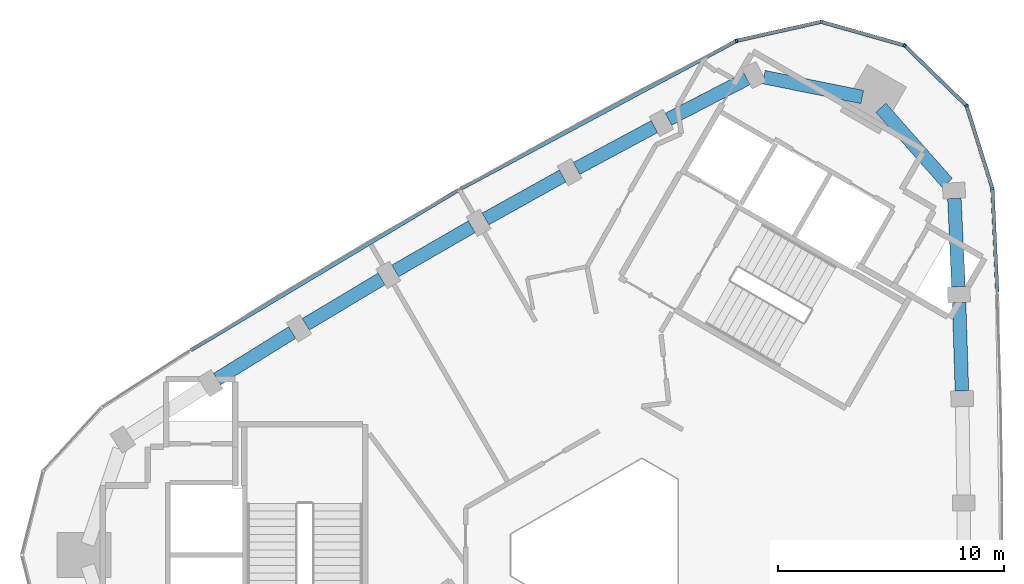
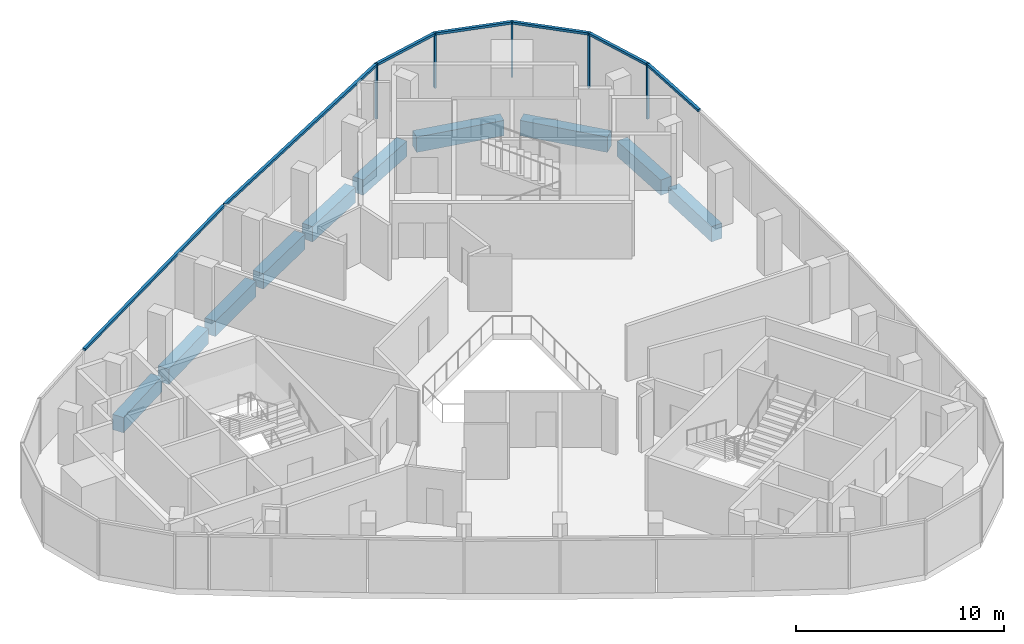
# One storey, part 4 of 10: 12 members, 10 beams, 2 elements without a shape of their own.
"""IFC4 building model written with IfcOpenShell, lengths in metres."""

from ifc_helpers import new_model, si_unit, direction, frame, origin, origin_2d, place, context, subcontext, project, spatial, rectangle, extrude, material, material_profile, profile_set, type_object, element, aggregate, save


model = new_model("IFC4")

# Units and contexts
model_context = context("Model", 3, precision=1e-05, world=origin(), true_north=direction((0.0, 1.0)))
body_context = subcontext(model_context, "Body", "Model", "MODEL_VIEW")
ifc_project = project(units=[si_unit("LENGTHUNIT", "METRE"), si_unit("AREAUNIT", "SQUARE_METRE"), si_unit("VOLUMEUNIT", "CUBIC_METRE"), si_unit("PLANEANGLEUNIT", "RADIAN"), si_unit("MASSUNIT", "GRAM", prefix="KILO")], contexts=[model_context])

# Site, building, storey
site_placement = place(None, origin())
site = spatial("IfcSite", under=ifc_project, at=site_placement, CompositionType="ELEMENT")
building_placement = place(site_placement, origin())
building = spatial("IfcBuilding", under=site, at=building_placement, Name="Tamra Quay Hotel Tower", CompositionType="ELEMENT")
storey_placement = place(building_placement, frame((0.0, 0.0, 294.60009765625)))
storey = spatial("IfcBuildingStorey", under=building, at=storey_placement, Name="L74", CompositionType="ELEMENT", Elevation=294.60009765625)

# Curtain wall, members
ifc_material_1 = material(Name="Aluminium 6063 anodised dark grey", Category="aluminium")
curtain_wall_type_1 = type_object("IfcCurtainWallType", Name="CW1 CURTAIN WALL", PredefinedType="NOTDEFINED", material=ifc_material_1)
curtain_wall_1_placement = place(storey_placement, origin())
curtain_wall_1 = element("IfcCurtainWall", 1, at=curtain_wall_1_placement, inside=storey, type_object=curtain_wall_type_1, Name="CW1 east face L74", PredefinedType="NOTDEFINED")
ifc_material_profile_1 = material_profile(ifc_material_1, rectangle(XDim=0.159912109375, YDim=0.10009765625, at=origin_2d()), Name="MULLION 100X160")
ifc_profile_set_1 = profile_set([ifc_material_profile_1], Name="Aluminium 6063 anodised dark grey")
member_type_1 = type_object("IfcMemberType", Name="MULLION CW1 Z6", PredefinedType="MULLION", material=ifc_profile_set_1)
member_1_placement = place(storey_placement, frame((16.89990234375, 16.210205078125, 0.0), z_axis=(0.0, 0.0, 1.0), x_axis=(0.984739919862, 0.174032440167, 0.0)))
member_1 = element("IfcMember", 2, at=member_1_placement, type_object=member_type_1, Name="CW1 mullion L74.E.8", PredefinedType="MULLION", context=body_context, shape_type="SweptSolid", body=[
    extrude(rectangle(XDim=0.159912109375, YDim=0.10009765625, at=origin_2d()), origin(), (0.0, 0.0, 1.0), 3.25),
])
member_2_placement = place(storey_placement, frame((15.757080078125, 19.865966796875, 0.0), z_axis=(0.0, 0.0, 1.0), x_axis=(0.851964184595, 0.523600065094, 0.0)))
member_2 = element("IfcMember", 3, at=member_2_placement, type_object=member_type_1, Name="CW1 mullion L74.E.9", PredefinedType="MULLION", context=body_context, shape_type="SweptSolid", body=[
    extrude(rectangle(XDim=0.159912109375, YDim=0.10009765625, at=origin_2d()), origin(), (0.0, 0.0, 1.0), 3.25),
])
member_3_placement = place(storey_placement, frame((13.01171875, 22.536865234375, 0.0), z_axis=(0.0, 0.0, 1.0), x_axis=(0.5, 0.866025403784, 0.0)))
member_3 = element("IfcMember", 4, at=member_3_placement, type_object=member_type_1, Name="CW1 mullion L74.E.10", PredefinedType="MULLION", context=body_context, shape_type="SweptSolid", body=[
    extrude(rectangle(XDim=0.159912109375, YDim=0.10009765625, at=origin_2d()), origin(), (0.0, 0.0, 1.0), 3.25),
])
member_4_placement = place(storey_placement, frame((9.325927734375, 23.578857421875, 0.0), z_axis=(0.0, 0.0, 1.0), x_axis=(0.027468865497, 0.999622659521, 0.0)))
member_4 = element("IfcMember", 5, at=member_4_placement, type_object=member_type_1, Name="CW1 mullion L74.E.11", PredefinedType="MULLION", context=body_context, shape_type="SweptSolid", body=[
    extrude(rectangle(XDim=0.159912109375, YDim=0.10009765625, at=origin_2d()), origin(), (0.0, 0.0, 1.0), 3.25),
])

# Curtain wall, member
curtain_wall_type_2 = type_object("IfcCurtainWallType", Name="CW2 CURTAIN WALL", PredefinedType="NOTDEFINED", material=ifc_material_1)
curtain_wall_2_placement = place(storey_placement, origin())
curtain_wall_2 = element("IfcCurtainWall", 6, at=curtain_wall_2_placement, inside=storey, type_object=curtain_wall_type_2, Name="CW2 north-west face L74", PredefinedType="NOTDEFINED")
ifc_material_profile_2 = material_profile(ifc_material_1, rectangle(XDim=0.159912109375, YDim=0.10009765625, at=origin_2d()), Name="MULLION 100X160")
ifc_profile_set_2 = profile_set([ifc_material_profile_2], Name="Aluminium 6063 anodised dark grey")
member_type_2 = type_object("IfcMemberType", Name="MULLION CW2 Z6", PredefinedType="MULLION", material=ifc_profile_set_2)
member_5_placement = place(storey_placement, frame((5.588623046875, 22.740966796875, 0.0), z_axis=(0.0, 0.0, 1.0), x_axis=(-0.341653445664, 0.939826006804, 0.0)))
member_5 = element("IfcMember", 7, at=member_5_placement, type_object=member_type_2, Name="CW2 mullion L74.NW.1", PredefinedType="MULLION", context=body_context, shape_type="SweptSolid", body=[
    extrude(rectangle(XDim=0.159912109375, YDim=0.10009765625, at=origin_2d()), origin(), (0.0, 0.0, 1.0), 3.25),
])

# Beams
ifc_material_2 = material(Name="Concrete M60", Category="concrete")
ifc_material_profile_3 = material_profile(ifc_material_2, rectangle(XDim=0.60009765625, YDim=0.89990234375, at=origin_2d()), Name="SPANDREL BEAM RC 600x900")
ifc_profile_set_3 = profile_set([ifc_material_profile_3], Name="Concrete M60")
beam_type = type_object("IfcBeamType", Name="SPANDREL BEAM RC 600x900", PredefinedType="SPANDREL", material=ifc_profile_set_3)
beam_1_placement = place(storey_placement, frame((15.55126953125, 7.259765625, -0.800048828125), z_axis=(-0.031240604276, 0.999511893198, 0.0), x_axis=(-0.999511893198, -0.031240604276, 0.0)))
element("IfcBeam", 8, at=beam_1_placement, inside=storey, type_object=beam_type, Name="BM-SP6-005-L74", PredefinedType="SPANDREL", context=body_context, shape_type="SweptSolid", body=[
    extrude(rectangle(XDim=0.60009765625, YDim=0.89990234375, at=origin_2d()), origin(), (0.0, 0.0, 1.0), 3.907470703125),
])
beam_2_placement = place(storey_placement, frame((15.40185546875, 11.86474609375, -0.800048828125), z_axis=(-0.04680507522, 0.998904041905, 0.0), x_axis=(-0.998904041905, -0.04680507522, 0.0)))
element("IfcBeam", 9, at=beam_2_placement, inside=storey, type_object=beam_type, Name="BM-SP6-006-L74", PredefinedType="SPANDREL", context=body_context, shape_type="SweptSolid", body=[
    extrude(rectangle(XDim=0.60009765625, YDim=0.89990234375, at=origin_2d()), origin(), (0.0, 0.0, 1.0), 3.906982421875),
])
beam_3_placement = place(storey_placement, frame((14.9072265625, 16.451171875, -0.800048828125), z_axis=(-0.661856103448, 0.749630908066, 0.0), x_axis=(-0.749630908066, -0.661856103448, 0.0)))
element("IfcBeam", 10, at=beam_3_placement, inside=storey, type_object=beam_type, Name="BM-SP6-007-L74", PredefinedType="SPANDREL", context=body_context, shape_type="SweptSolid", body=[
    extrude(rectangle(XDim=0.60009765625, YDim=0.89990234375, at=origin_2d()), origin(), (0.0, 0.0, 1.0), 4.44189453125),
])
beam_4_placement = place(storey_placement, frame((11.146728515625, 20.25439453125, -0.800048828125), z_axis=(-0.980114952618, 0.198430541133, 0.0), x_axis=(-0.198430541133, -0.980114952618, 0.0)))
element("IfcBeam", 11, at=beam_4_placement, inside=storey, type_object=beam_type, Name="BM-SP6-008-L74", PredefinedType="SPANDREL", context=body_context, shape_type="SweptSolid", body=[
    extrude(rectangle(XDim=0.60009765625, YDim=0.89990234375, at=origin_2d()), origin(), (0.0, 0.0, 1.0), 4.441650390625),
])
beam_5_placement = place(storey_placement, frame((6.04541015625, 21.063720703125, -0.800048828125), z_axis=(-0.888476019227, -0.458923047208, 0.0), x_axis=(0.458923047208, -0.888476019227, 0.0)))
element("IfcBeam", 12, at=beam_5_placement, inside=storey, type_object=beam_type, Name="BM-SP6-009-L74", PredefinedType="SPANDREL", context=body_context, shape_type="SweptSolid", body=[
    extrude(rectangle(XDim=0.60009765625, YDim=0.89990234375, at=origin_2d()), origin(), (0.0, 0.0, 1.0), 3.906982421875),
])
beam_6_placement = place(storey_placement, frame((1.954833984375, 18.944580078125, -0.800048828125), z_axis=(-0.88123835064, -0.472672158437, 0.0), x_axis=(0.472672158437, -0.88123835064, 0.0)))
element("IfcBeam", 13, at=beam_6_placement, inside=storey, type_object=beam_type, Name="BM-SP6-010-L74", PredefinedType="SPANDREL", context=body_context, shape_type="SweptSolid", body=[
    extrude(rectangle(XDim=0.60009765625, YDim=0.89990234375, at=origin_2d()), origin(), (0.0, 0.0, 1.0), 3.907470703125),
])
for number, where, z_axis, x_axis, name in (
    (14, (-2.102783203125, 16.761962890625, -0.800048828125), (-0.873726581477, -0.486417373066, 0.0), (0.486417373066, -0.873726581477, 0.0), "BM-SP6-011-L74"),
    (15, (-6.125244140625, 14.516357421875, -0.800048828125), (-0.866011803689, -0.500023555316, 0.0), (0.500023555316, -0.866011803689, 0.0), "BM-SP6-012-L74"),
):
    element("IfcBeam", number, at=place(storey_placement, frame(where, z_axis=z_axis, x_axis=x_axis)), inside=storey, type_object=beam_type, Name=name, PredefinedType="SPANDREL", context=body_context, shape_type="SweptSolid", body=[
        extrude(rectangle(XDim=0.60009765625, YDim=0.89990234375, at=origin_2d()), origin(), (0.0, 0.0, 1.0), 3.906982421875),
    ])
beam_7_placement = place(storey_placement, frame((-10.1123046875, 12.2080078125, -0.800048828125), z_axis=(-0.858120821909, -0.513447811376, 0.0), x_axis=(0.513447811376, -0.858120821909, 0.0)))
element("IfcBeam", 16, at=beam_7_placement, inside=storey, type_object=beam_type, Name="BM-SP6-013-L74", PredefinedType="SPANDREL", context=body_context, shape_type="SweptSolid", body=[
    extrude(rectangle(XDim=0.60009765625, YDim=0.89990234375, at=origin_2d()), origin(), (0.0, 0.0, 1.0), 3.9072265625),
])
beam_8_placement = place(storey_placement, frame((-14.062744140625, 9.837890625, -0.800048828125), z_axis=(-0.849972078006, -0.526827739029, 0.0), x_axis=(0.526827739029, -0.849972078006, 0.0)))
element("IfcBeam", 17, at=beam_8_placement, inside=storey, type_object=beam_type, Name="BM-SP6-014-L74", PredefinedType="SPANDREL", context=body_context, shape_type="SweptSolid", body=[
    extrude(rectangle(XDim=0.60009765625, YDim=0.89990234375, at=origin_2d()), origin(), (0.0, 0.0, 1.0), 3.907470703125),
])

# Member
ifc_material_profile_4 = material_profile(ifc_material_1, rectangle(XDim=0.159912109375, YDim=0.139892578125, at=origin_2d()), Name="TRANSOM 160X140")
ifc_profile_set_4 = profile_set([ifc_material_profile_4], Name="Aluminium 6063 anodised dark grey")
member_type_3 = type_object("IfcMemberType", Name="TRANSOM CW1 Z6", PredefinedType="USERDEFINED", material=ifc_profile_set_4)
member_6_placement = place(storey_placement, frame((17.114501953125, 11.630859375, 3.179931640625), z_axis=(-0.046787491417, 0.998904865664, 0.0), x_axis=(-0.998904865664, -0.046787491417, 0.0)))
member_6 = element("IfcMember", 18, at=member_6_placement, type_object=member_type_3, Name="CW1 transom L74.E.7", ObjectType="TRANSOM", PredefinedType="USERDEFINED", context=body_context, shape_type="SweptSolid", body=[
    extrude(rectangle(XDim=0.159912109375, YDim=0.139892578125, at=origin_2d()), origin(), (0.0, 0.0, 1.0), 4.534423828125),
])

member_7_placement = place(storey_placement, frame((16.885009765625, 16.258056640625, 3.179931640625), z_axis=(-0.298383063983, 0.95444619918, 0.0), x_axis=(-0.95444619918, -0.298383063983, 0.0)))
member_7 = element("IfcMember", 19, at=member_7_placement, type_object=member_type_3, Name="CW1 transom L74.E.8", ObjectType="TRANSOM", PredefinedType="USERDEFINED", context=body_context, shape_type="SweptSolid", body=[
    extrude(rectangle(XDim=0.159912109375, YDim=0.139892578125, at=origin_2d()), origin(), (0.0, 0.0, 1.0), 3.730224609375),
])

member_8_placement = place(storey_placement, frame((15.72119140625, 19.90087890625, 3.179931640625), z_axis=(-0.716759527702, 0.697320428102, 0.0), x_axis=(-0.697320428102, -0.716759527702, 0.0)))
member_8 = element("IfcMember", 20, at=member_8_placement, type_object=member_type_3, Name="CW1 transom L74.E.9", ObjectType="TRANSOM", PredefinedType="USERDEFINED", context=body_context, shape_type="SweptSolid", body=[
    extrude(rectangle(XDim=0.159912109375, YDim=0.139892578125, at=origin_2d()), origin(), (0.0, 0.0, 1.0), 3.72998046875),
])

member_9_placement = place(storey_placement, frame((12.963623046875, 22.550537109375, 3.179931640625), z_axis=(-0.9622784918, 0.272066359955, 0.0), x_axis=(-0.272066359955, -0.9622784918, 0.0)))
member_9 = element("IfcMember", 21, at=member_9_placement, type_object=member_type_3, Name="CW1 transom L74.E.10", ObjectType="TRANSOM", PredefinedType="USERDEFINED", context=body_context, shape_type="SweptSolid", body=[
    extrude(rectangle(XDim=0.159912109375, YDim=0.139892578125, at=origin_2d()), origin(), (0.0, 0.0, 1.0), 3.730224609375),
])

member_10_placement = place(storey_placement, frame((9.277099609375, 23.568115234375, 3.179931640625), z_axis=(-0.975757055509, -0.218856502356, 0.0), x_axis=(0.218856502356, -0.975757055509, 0.0)))
member_10 = element("IfcMember", 22, at=member_10_placement, type_object=member_type_3, Name="CW1 transom L74.E.11", ObjectType="TRANSOM", PredefinedType="USERDEFINED", context=body_context, shape_type="SweptSolid", body=[
    extrude(rectangle(XDim=0.159912109375, YDim=0.139892578125, at=origin_2d()), origin(), (0.0, 0.0, 1.0), 3.730224609375),
])

aggregate(curtain_wall_1, [member_6, member_1, member_7, member_2, member_8, member_3, member_9, member_4, member_10])

ifc_material_profile_5 = material_profile(ifc_material_1, rectangle(XDim=0.159912109375, YDim=0.139892578125, at=origin_2d()), Name="TRANSOM 160X140")
ifc_profile_set_5 = profile_set([ifc_material_profile_5], Name="Aluminium 6063 anodised dark grey")
member_type_4 = type_object("IfcMemberType", Name="TRANSOM CW2 Z6", PredefinedType="USERDEFINED", material=ifc_profile_set_5)
member_11_placement = place(storey_placement, frame((5.544189453125, 22.718017578125, 3.179931640625), z_axis=(-0.881218148164, -0.472709821504, 0.0), x_axis=(0.472709821504, -0.881218148164, 0.0)))
member_11 = element("IfcMember", 23, at=member_11_placement, type_object=member_type_4, Name="CW2 transom L74.NW.1", ObjectType="TRANSOM", PredefinedType="USERDEFINED", context=body_context, shape_type="SweptSolid", body=[
    extrude(rectangle(XDim=0.159912109375, YDim=0.139892578125, at=origin_2d()), origin(), (0.0, 0.0, 1.0), 13.800048828125),
])

member_12_placement = place(storey_placement, frame((-6.703857421875, 16.145263671875, 3.179931640625), z_axis=(-0.858107364644, -0.513470301715, 0.0), x_axis=(0.513470301715, -0.858107364644, 0.0)))
member_12 = element("IfcMember", 24, at=member_12_placement, type_object=member_type_4, Name="CW2 transom L74.NW.4", ObjectType="TRANSOM", PredefinedType="USERDEFINED", context=body_context, shape_type="SweptSolid", body=[
    extrude(rectangle(XDim=0.159912109375, YDim=0.139892578125, at=origin_2d()), origin(), (0.0, 0.0, 1.0), 13.799560546875),
])

aggregate(curtain_wall_2, [member_5, member_11, member_12])

save(model, "model.ifc")
